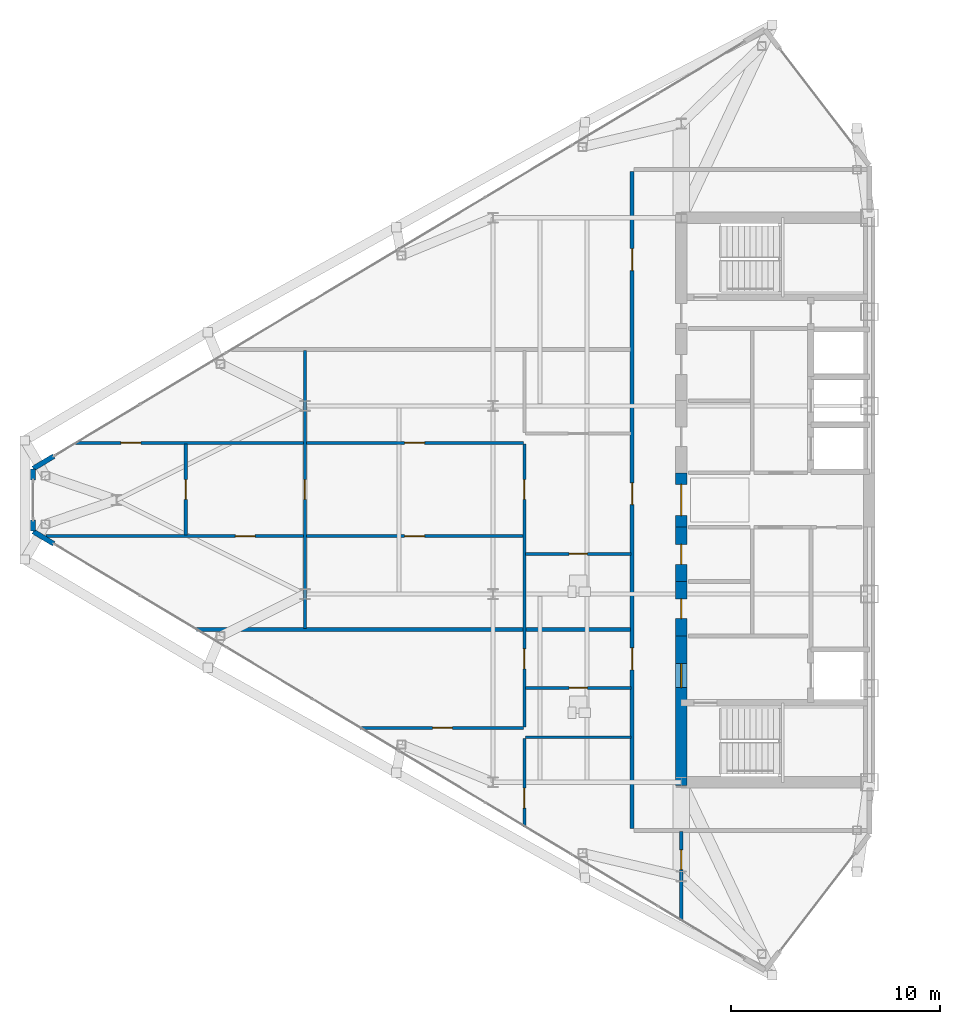
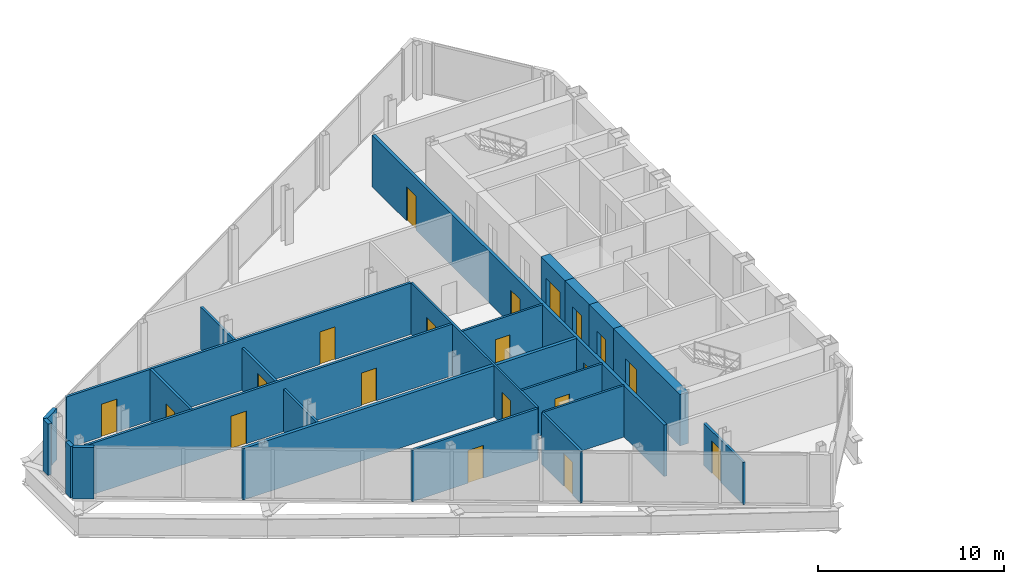
# One storey, part 21 of 29: 21 walls, 20 doors, 20 openings.
"""IFC4 building model written with IfcOpenShell, lengths in metres."""

import ifcopenshell
import ifcopenshell.guid

model = None  # the IFC model being written
_history = None  # IfcOwnerHistory: only IFC2X3 demands one
_inside = {}  # id of a spatial element -> (the spatial element, [elements in it])
_under = {}  # id of a project, library or spatial element -> (it, [spatial elements below it])
_declared = {}  # id of a project -> (the project, [libraries it declares])
_typed = {}  # id of a type object -> (the type object, [elements of that type])
_made_of = {}  # id of a material, layer set ... -> (it, [elements and type objects made of it])


def new_model(schema):
    """Start an empty IFC model of exactly this schema.

    Asked for "IFC4X3", IfcOpenShell would pick the latest addendum, in which some entities
    have other attributes; the version numbers below select the first issue.
    IFC2X3 requires an IfcOwnerHistory on every rooted entity: one is made here for all.
    """
    global model, _history
    if schema == "IFC4X3":
        model = ifcopenshell.file(schema_version=(4, 3, 0, 0))
    else:
        model = ifcopenshell.file(schema=schema)
    _inside.clear()
    _under.clear()
    _declared.clear()
    _typed.clear()
    _made_of.clear()
    _history = None
    if model.schema == "IFC2X3":
        org = make("IfcOrganization", Name="unknown")
        user = make(
            "IfcPersonAndOrganization",
            ThePerson=make("IfcPerson", FamilyName="unknown"),
            TheOrganization=org,
        )
        app = make(
            "IfcApplication",
            ApplicationDeveloper=org,
            Version="unknown",
            ApplicationFullName="unknown",
            ApplicationIdentifier="unknown",
        )
        _history = make(
            "IfcOwnerHistory",
            OwningUser=user,
            OwningApplication=app,
            ChangeAction="ADDED",
            CreationDate=0,
        )
    return model


def make(cls, **values):
    """One entity of the class cls with the attributes given. An attribute that is None is left unset."""
    return model.create_entity(
        cls, **{name: value for name, value in values.items() if value is not None}
    )


def rooted(cls, **values):
    """An entity with a GlobalId (a new one), such as an element, a storey or a relation."""
    return make(cls, GlobalId=ifcopenshell.guid.new(), OwnerHistory=_history, **values)


def si_unit(unit_type, name, prefix=None):
    """IfcSIUnit, for example si_unit("LENGTHUNIT", "METRE", prefix="MILLI")."""
    return make("IfcSIUnit", UnitType=unit_type, Prefix=prefix, Name=name)


def assignment(units):
    """IfcUnitAssignment: the units of a project."""
    return None if units is None else make("IfcUnitAssignment", Units=units)


def point(xyz):
    """IfcCartesianPoint."""
    return None if xyz is None else make("IfcCartesianPoint", Coordinates=xyz)


def direction(xyz):
    """IfcDirection."""
    return None if xyz is None else make("IfcDirection", DirectionRatios=xyz)


def frame(location, z_axis=None, x_axis=None):
    """IfcAxis2Placement3D, a coordinate frame: its origin and axes. An axis left out is left unset."""
    return make(
        "IfcAxis2Placement3D",
        Location=point(location),
        Axis=direction(z_axis),
        RefDirection=direction(x_axis),
    )


def frame_2d(location, x_axis=None):
    """IfcAxis2Placement2D, a coordinate frame in the plane: its origin and x axis."""
    return make(
        "IfcAxis2Placement2D", Location=point(location), RefDirection=direction(x_axis)
    )


def origin():
    """The frame at (0, 0, 0) with its axes left unset."""
    return frame((0.0, 0.0, 0.0))


def place(relative_to, where):
    """IfcLocalPlacement: puts the frame where relative to a parent placement (None: the world)."""
    return make(
        "IfcLocalPlacement", PlacementRelTo=relative_to, RelativePlacement=where
    )


def context(
    kind, dimensions, precision=None, world=None, true_north=None, identifier=None
):
    """IfcGeometricRepresentationContext, for example the 3D "Model" context."""
    return make(
        "IfcGeometricRepresentationContext",
        ContextIdentifier=identifier,
        ContextType=kind,
        CoordinateSpaceDimension=dimensions,
        Precision=precision,
        WorldCoordinateSystem=world,
        TrueNorth=true_north,
    )


def subcontext(parent, identifier, kind, view, scale=None):
    """IfcGeometricRepresentationSubContext, for example "Body" below "Model"."""
    return make(
        "IfcGeometricRepresentationSubContext",
        ContextIdentifier=identifier,
        ContextType=kind,
        ParentContext=parent,
        TargetScale=scale,
        TargetView=view,
    )


def project(units=None, contexts=None):
    """IfcProject with its units and contexts."""
    return rooted(
        "IfcProject",
        Name="project",
        RepresentationContexts=contexts,
        UnitsInContext=assignment(units),
    )


def spatial(cls, under=None, at=None, **own):
    """A site, building, storey or space (cls), placed at a placement, below another one or the project."""
    s = rooted(cls, ObjectPlacement=at, **own)
    if under is not None:
        _under.setdefault(under.id(), (under, []))[1].append(s)
    return s


def profile(cls, at=None, kind="AREA", **sizes):
    """A parametric profile (cls). Its sizes go by their IFC names, for example OverallWidth=200.0."""
    return make(cls, ProfileType=kind, Position=at, **sizes)


def rectangle(**sizes):
    """IfcRectangleProfileDef."""
    return profile("IfcRectangleProfileDef", **sizes)


def extrude(swept, where, along, depth):
    """IfcExtrudedAreaSolid: the profile swept, set in the frame where, extruded along a direction by depth."""
    return make(
        "IfcExtrudedAreaSolid",
        SweptArea=swept,
        Position=where,
        ExtrudedDirection=direction(along),
        Depth=depth,
    )


def shape(context_of_items, identifier, shape_type, items):
    """IfcShapeRepresentation: the items that make up one representation, for example the "Body"."""
    return make(
        "IfcShapeRepresentation",
        ContextOfItems=context_of_items,
        RepresentationIdentifier=identifier,
        RepresentationType=shape_type,
        Items=items,
    )


def source(mapping_origin, context_of_items, identifier, shape_type, items):
    """IfcRepresentationMap: a shape defined once, which mapped items show again and again."""
    return make(
        "IfcRepresentationMap",
        MappingOrigin=mapping_origin,
        MappedRepresentation=shape(context_of_items, identifier, shape_type, items),
    )


def transform(
    local_origin,
    x_axis=None,
    y_axis=None,
    z_axis=None,
    scale=None,
    scale2=None,
    scale3=None,
    uniform=True,
):
    """IfcCartesianTransformationOperator3D, or its non-uniform kind. x_axis, y_axis, z_axis: its Axis1, 2, 3."""
    if uniform:
        return make(
            "IfcCartesianTransformationOperator3D",
            Axis1=direction(x_axis),
            Axis2=direction(y_axis),
            LocalOrigin=point(local_origin),
            Scale=scale,
            Axis3=direction(z_axis),
        )
    return make(
        "IfcCartesianTransformationOperator3DnonUniform",
        Axis1=direction(x_axis),
        Axis2=direction(y_axis),
        LocalOrigin=point(local_origin),
        Scale=scale,
        Axis3=direction(z_axis),
        Scale2=scale2,
        Scale3=scale3,
    )


def mapped(mapping_source, mapping_target):
    """IfcMappedItem: shows the shape of a source again, moved by a transform."""
    return make(
        "IfcMappedItem", MappingSource=mapping_source, MappingTarget=mapping_target
    )


def material(Name=None, Category=None):
    """IfcMaterial."""
    return make("IfcMaterial", Name=Name, Category=Category)


def layer(
    of_material, thickness, ventilated=None, Name=None, Category=None, Priority=None
):
    """IfcMaterialLayer: one layer of a wall or slab, of a material (None: an air gap)."""
    return make(
        "IfcMaterialLayer",
        Material=of_material,
        LayerThickness=thickness,
        IsVentilated=ventilated,
        Name=Name,
        Category=Category,
        Priority=Priority,
    )


def layer_set(layers, Name=None):
    """IfcMaterialLayerSet."""
    return make("IfcMaterialLayerSet", MaterialLayers=layers, LayerSetName=Name)


def made_of(thing, what):
    """Note that an element or type object is made of a material, layer set ...; save() writes the relation."""
    if what is not None:
        _made_of.setdefault(what.id(), (what, []))[1].append(thing)
    return thing


def type_object(cls, material=None, **own):
    """A type object (cls), such as IfcWallType, which elements share."""
    return made_of(rooted(cls, **own), material)


def type_shapes(of_type, sources):
    """Give a type object the sources (RepresentationMaps) that its elements show as mapped items."""
    of_type.RepresentationMaps = sources


def element(
    cls,
    number,
    at=None,
    inside=None,
    cuts=None,
    type_object=None,
    material=None,
    context=None,
    identifier="Body",
    shape_type=None,
    held_by="IfcProductDefinitionShape",
    body=None,
    shapes=None,
    **own,
):
    """One element of the class cls, such as IfcWall. Its Tag is "e" and its number.

    at: its placement. inside: the storey or other place that contains it. cuts: it is an
    opening in that element (IfcRelVoidsElement). A single representation is given by context,
    identifier, shape_type and body (its items); several are given by shapes. held_by: the class
    of the entity that holds the representations. save() writes the other relations.
    """
    e = rooted(cls, Tag="e%d" % number, ObjectPlacement=at, **own)
    if body is not None:
        shapes = [shape(context, identifier, shape_type, body)]
    if shapes is not None:
        e.Representation = make(held_by, Representations=shapes)
    if inside is not None:
        _inside.setdefault(inside.id(), (inside, []))[1].append(e)
    if cuts is not None:
        rooted(
            "IfcRelVoidsElement", RelatingBuildingElement=cuts, RelatedOpeningElement=e
        )
    if type_object is not None:
        _typed.setdefault(type_object.id(), (type_object, []))[1].append(e)
    return made_of(e, material)


def fill(opening, filler):
    """IfcRelFillsElement: the door or window that sits in an opening."""
    return rooted(
        "IfcRelFillsElement",
        RelatingOpeningElement=opening,
        RelatedBuildingElement=filler,
    )


def aggregate(whole, parts):
    """IfcRelAggregates: a whole, such as a stair, and the parts it consists of."""
    return rooted("IfcRelAggregates", RelatingObject=whole, RelatedObjects=parts)


def save(model, path):
    """Write the relations noted so far, then the file.

    IfcRelAggregates (storeys below a building ...), IfcRelContainedInSpatialStructure (elements
    in a storey), IfcRelDefinesByType, IfcRelAssociatesMaterial and IfcRelDeclares: one each for
    every whole, place, type object, material and project.
    """
    for whole, parts in _under.values():
        aggregate(whole, parts)
    for where, things in _inside.values():
        rooted(
            "IfcRelContainedInSpatialStructure",
            RelatedElements=things,
            RelatingStructure=where,
        )
    for kind, things in _typed.values():
        rooted("IfcRelDefinesByType", RelatedObjects=things, RelatingType=kind)
    for what, things in _made_of.values():
        rooted("IfcRelAssociatesMaterial", RelatedObjects=things, RelatingMaterial=what)
    for by, libraries in _declared.values():
        rooted("IfcRelDeclares", RelatingContext=by, RelatedDefinitions=libraries)
    model.write(path)


model = new_model("IFC4")

# Units and contexts
model_context = context("Model", 3, precision=1e-05, world=origin(), true_north=direction((0.0, 1.0)))
body_context = subcontext(model_context, "Body", "Model", "MODEL_VIEW")
ifc_project = project(units=[si_unit("LENGTHUNIT", "METRE"), si_unit("AREAUNIT", "SQUARE_METRE"), si_unit("VOLUMEUNIT", "CUBIC_METRE"), si_unit("PLANEANGLEUNIT", "RADIAN"), si_unit("MASSUNIT", "GRAM", prefix="KILO")], contexts=[model_context])

# Site, building, storey
site_placement = place(None, origin())
site = spatial("IfcSite", under=ifc_project, at=site_placement, CompositionType="ELEMENT")
building_placement = place(site_placement, origin())
building = spatial("IfcBuilding", under=site, at=building_placement, Name="Seokmaru Belvedere", CompositionType="ELEMENT")
storey_placement = place(building_placement, frame((0.0, 0.0, 195.89990234375)))
storey = spatial("IfcBuildingStorey", under=building, at=storey_placement, Name="L52", CompositionType="ELEMENT", Elevation=195.89990234375)

# Wall, opening, door
ifc_material_1 = material(Name="Fire-Rated Gypsum Shaftwall")
ifc_layer_1 = layer(ifc_material_1, 0.14990234375)
ifc_layer_set_1 = layer_set([ifc_layer_1], Name="Fire-Rated Gypsum Shaftwall")
wall_type_1 = type_object("IfcWallType", Name="Apartment Fire-Acoustic Room Partition 150", PredefinedType="PARTITIONING", material=ifc_layer_set_1)
wall_1_placement = place(storey_placement, frame((-51.867919921875, -10.89990234375, 0.0), z_axis=(0.0, 0.0, 1.0), x_axis=(1.0, 0.0, 0.0)))
wall_1 = element("IfcWall", 1, at=wall_1_placement, inside=storey, type_object=wall_type_1, Name="L52 Interior Partition 004", PredefinedType="PARTITIONING", context=body_context, shape_type="SweptSolid", body=[
    extrude(rectangle(XDim=7.81787109375, YDim=0.14990234375, at=frame_2d((3.908935546875, 0.0))), origin(), (0.0, 0.0, 1.0), 3.380126953125),
])
opening_1_placement = place(wall_1_placement, frame((3.476318359375, 0.0, 0.0)))
opening_1 = element("IfcOpeningElement", 2, at=opening_1_placement, cuts=wall_1, Name="Opening D05", PredefinedType="OPENING", context=body_context, shape_type="SweptSolid", body=[
    extrude(rectangle(XDim=0.949951171875, YDim=2.14990234375, at=frame_2d((0.47509765625, 1.074951171875))), frame((0.0, 0.0849609375, 0.0), z_axis=(0.0, -1.0, 0.0), x_axis=(1.0, 0.0, 0.0)), (0.0, 0.0, 1.0), 0.169921875),
])
ifc_material_2 = material(Name="Engineered White Oak Timber", Category="wood")
door_type_1 = type_object("IfcDoorType", Name="Apartment Interior Fire-Rated Oak Door 950x2150", OperationType="NOTDEFINED", PredefinedType="DOOR", material=ifc_material_2)
shared_shape_1 = source(origin(), body_context, "Body", "SweptSolid", [
    extrude(rectangle(XDim=0.949951171875, YDim=2.14990234375, at=frame_2d((0.47509765625, 1.074951171875))), frame((0.0, 0.02490234375, 0.0), z_axis=(0.0, -1.0, 0.0), x_axis=(1.0, 0.0, 0.0)), (0.0, 0.0, 1.0), 0.050048828125),
])
type_shapes(door_type_1, [shared_shape_1])
door_1_placement = place(opening_1_placement, origin())
door_1 = element("IfcDoor", 3, at=door_1_placement, inside=storey, type_object=door_type_1, Name="L52 Interior Door 004", OperationType="SINGLE_SWING_RIGHT", OverallHeight=2.14990234375, OverallWidth=0.949951171875, PredefinedType="DOOR", context=body_context, shape_type="MappedRepresentation", body=[
    mapped(shared_shape_1, transform((0.0, 0.0, 0.0), scale=1.0)),
])
fill(opening_1, door_1)

# Wall, openings, doors
wall_2_placement = place(storey_placement, frame((-66.873779296875, -1.72998046875, 0.0), z_axis=(0.0, 0.0, 1.0), x_axis=(1.0, 0.0, 0.0)))
wall_2 = element("IfcWall", 4, at=wall_2_placement, inside=storey, type_object=wall_type_1, Name="L52 Interior Partition 011", PredefinedType="PARTITIONING", context=body_context, shape_type="SweptSolid", body=[
    extrude(rectangle(XDim=22.82373046875, YDim=0.14990234375, at=frame_2d((11.411865234375, 0.0))), origin(), (0.0, 0.0, 1.0), 3.380126953125),
])
opening_2_placement = place(wall_2_placement, frame((17.148681640625, 0.0, 0.0)))
opening_2 = element("IfcOpeningElement", 5, at=opening_2_placement, cuts=wall_2, Name="Opening D05", PredefinedType="OPENING", context=body_context, shape_type="SweptSolid", body=[
    extrude(rectangle(XDim=0.949951171875, YDim=2.14990234375, at=frame_2d((0.47509765625, 1.074951171875))), frame((0.0, 0.0849609375, 0.0), z_axis=(0.0, -1.0, 0.0), x_axis=(1.0, 0.0, 0.0)), (0.0, 0.0, 1.0), 0.169921875),
])
opening_3_placement = place(wall_2_placement, frame((9.048583984375, 0.0, 0.0)))
opening_3 = element("IfcOpeningElement", 6, at=opening_3_placement, cuts=wall_2, Name="Opening D05", PredefinedType="OPENING", context=body_context, shape_type="SweptSolid", body=[
    extrude(rectangle(XDim=0.949951171875, YDim=2.14990234375, at=frame_2d((0.47509765625, 1.074951171875))), frame((0.0, 0.0849609375, 0.0), z_axis=(0.0, -1.0, 0.0), x_axis=(1.0, 0.0, 0.0)), (0.0, 0.0, 1.0), 0.169921875),
])
door_2_placement = place(opening_2_placement, origin())
door_2 = element("IfcDoor", 7, at=door_2_placement, inside=storey, type_object=door_type_1, Name="L52 Interior Door 012", OperationType="SINGLE_SWING_RIGHT", OverallHeight=2.14990234375, OverallWidth=0.949951171875, PredefinedType="DOOR", context=body_context, shape_type="MappedRepresentation", body=[
    mapped(shared_shape_1, transform((0.0, 0.0, 0.0), scale=1.0)),
])
fill(opening_2, door_2)
door_3_placement = place(opening_3_placement, origin())
door_3 = element("IfcDoor", 8, at=door_3_placement, inside=storey, type_object=door_type_1, Name="L52 Interior Door 014", OperationType="SINGLE_SWING_LEFT", OverallHeight=2.14990234375, OverallWidth=0.949951171875, PredefinedType="DOOR", context=body_context, shape_type="MappedRepresentation", body=[
    mapped(shared_shape_1, transform((0.0, 0.0, 0.0), scale=1.0)),
])
fill(opening_3, door_3)

wall_3_placement = place(storey_placement, frame((-65.47998046875, 2.72998046875, 0.0), z_axis=(0.0, 0.0, 1.0), x_axis=(1.0, 0.0, 0.0)))
wall_3 = element("IfcWall", 9, at=wall_3_placement, inside=storey, type_object=wall_type_1, Name="L52 Interior Partition 014", PredefinedType="PARTITIONING", context=body_context, shape_type="SweptSolid", body=[
    extrude(rectangle(XDim=21.429931640625, YDim=0.14990234375, at=frame_2d((10.71484375, 0.0))), origin(), (0.0, 0.0, 1.0), 3.380126953125),
])
opening_4_placement = place(wall_3_placement, frame((15.7548828125, 0.0, 0.0)))
opening_4 = element("IfcOpeningElement", 10, at=opening_4_placement, cuts=wall_3, Name="Opening D05", PredefinedType="OPENING", context=body_context, shape_type="SweptSolid", body=[
    extrude(rectangle(XDim=0.949951171875, YDim=2.14990234375, at=frame_2d((0.47509765625, 1.074951171875))), frame((0.0, 0.0849609375, 0.0), z_axis=(0.0, -1.0, 0.0), x_axis=(1.0, 0.0, 0.0)), (0.0, 0.0, 1.0), 0.169921875),
])
opening_5_placement = place(wall_3_placement, frame((2.182861328125, 0.0, 0.0)))
opening_5 = element("IfcOpeningElement", 11, at=opening_5_placement, cuts=wall_3, Name="Opening D05", PredefinedType="OPENING", context=body_context, shape_type="SweptSolid", body=[
    extrude(rectangle(XDim=0.949951171875, YDim=2.14990234375, at=frame_2d((0.47509765625, 1.074951171875))), frame((0.0, 0.0849609375, 0.0), z_axis=(0.0, -1.0, 0.0), x_axis=(1.0, 0.0, 0.0)), (0.0, 0.0, 1.0), 0.169921875),
])
door_4_placement = place(opening_4_placement, origin())
door_4 = element("IfcDoor", 12, at=door_4_placement, inside=storey, type_object=door_type_1, Name="L52 Interior Door 013", OperationType="SINGLE_SWING_LEFT", OverallHeight=2.14990234375, OverallWidth=0.949951171875, PredefinedType="DOOR", context=body_context, shape_type="MappedRepresentation", body=[
    mapped(shared_shape_1, transform((0.0, 0.0, 0.0), scale=1.0)),
])
fill(opening_4, door_4)
door_5_placement = place(opening_5_placement, origin())
door_5 = element("IfcDoor", 13, at=door_5_placement, inside=storey, type_object=door_type_1, Name="L52 Interior Door 016", OperationType="SINGLE_SWING_LEFT", OverallHeight=2.14990234375, OverallWidth=0.949951171875, PredefinedType="DOOR", context=body_context, shape_type="MappedRepresentation", body=[
    mapped(shared_shape_1, transform((0.0, 0.0, 0.0), scale=1.0)),
])
fill(opening_5, door_5)

# Wall, opening, door
wall_4_placement = place(storey_placement, frame((-60.199951171875, -1.68310546875, 0.0), z_axis=(0.0, 0.0, 1.0), x_axis=(0.0, 1.0, 0.0)))
wall_4 = element("IfcWall", 14, at=wall_4_placement, inside=storey, type_object=wall_type_1, Name="L52 Interior Partition 024", PredefinedType="PARTITIONING", context=body_context, shape_type="SweptSolid", body=[
    extrude(rectangle(XDim=4.3662109375, YDim=0.14990234375, at=frame_2d((2.18310546875, 0.0))), origin(), (0.0, 0.0, 1.0), 3.380126953125),
])
opening_6_placement = place(wall_4_placement, frame((1.7080078125, 0.0, 0.0)))
opening_6 = element("IfcOpeningElement", 15, at=opening_6_placement, cuts=wall_4, Name="Opening D05", PredefinedType="OPENING", context=body_context, shape_type="SweptSolid", body=[
    extrude(rectangle(XDim=0.949951171875, YDim=2.14990234375, at=frame_2d((0.47509765625, 1.074951171875))), frame((0.0, 0.0849609375, 0.0), z_axis=(0.0, -1.0, 0.0), x_axis=(1.0, 0.0, 0.0)), (0.0, 0.0, 1.0), 0.169921875),
])
door_6_placement = place(opening_6_placement, origin())
door_6 = element("IfcDoor", 16, at=door_6_placement, inside=storey, type_object=door_type_1, Name="L52 Interior Door 015", OperationType="SINGLE_SWING_RIGHT", OverallHeight=2.14990234375, OverallWidth=0.949951171875, PredefinedType="DOOR", context=body_context, shape_type="MappedRepresentation", body=[
    mapped(shared_shape_1, transform((0.0, 0.0, 0.0), scale=1.0)),
])
fill(opening_6, door_6)

wall_5_placement = place(storey_placement, frame((-54.5, -6.14990234375, 0.0), z_axis=(0.0, 0.0, 1.0), x_axis=(0.0, 1.0, 0.0)))
wall_5 = element("IfcWall", 17, at=wall_5_placement, inside=storey, type_object=wall_type_1, Name="L52 Interior Partition 025", PredefinedType="PARTITIONING", context=body_context, shape_type="SweptSolid", body=[
    extrude(rectangle(XDim=13.2998046875, YDim=0.14990234375, at=frame_2d((6.64990234375, 0.0))), origin(), (0.0, 0.0, 1.0), 2.780029296875),
])
opening_7_placement = place(wall_5_placement, frame((6.175048828125, 0.0, 0.0)))
opening_7 = element("IfcOpeningElement", 18, at=opening_7_placement, cuts=wall_5, Name="Opening D05", PredefinedType="OPENING", context=body_context, shape_type="SweptSolid", body=[
    extrude(rectangle(XDim=0.949951171875, YDim=2.14990234375, at=frame_2d((0.47509765625, 1.074951171875))), frame((0.0, 0.0849609375, 0.0), z_axis=(0.0, -1.0, 0.0), x_axis=(1.0, 0.0, 0.0)), (0.0, 0.0, 1.0), 0.169921875),
])
door_7_placement = place(opening_7_placement, origin())
door_7 = element("IfcDoor", 19, at=door_7_placement, inside=storey, type_object=door_type_1, Name="L52 Interior Door 011", OperationType="SINGLE_SWING_RIGHT", OverallHeight=2.14990234375, OverallWidth=0.949951171875, PredefinedType="DOOR", context=body_context, shape_type="MappedRepresentation", body=[
    mapped(shared_shape_1, transform((0.0, 0.0, 0.0), scale=1.0)),
])
fill(opening_7, door_7)

wall_6_placement = place(storey_placement, frame((-44.0, -15.635009765625, 0.0), z_axis=(0.0, 0.0, 1.0), x_axis=(0.0, 1.0, 0.0)))
wall_6 = element("IfcWall", 20, at=wall_6_placement, inside=storey, type_object=wall_type_1, Name="L52 Interior Partition 026", PredefinedType="PARTITIONING", context=body_context, shape_type="SweptSolid", body=[
    extrude(rectangle(XDim=4.239990234375, YDim=0.14990234375, at=frame_2d((2.1201171875, 0.0))), origin(), (0.0, 0.0, 1.0), 3.380126953125),
])
opening_8_placement = place(wall_6_placement, frame((0.902587890625, 0.0, 0.0)))
opening_8 = element("IfcOpeningElement", 21, at=opening_8_placement, cuts=wall_6, Name="Opening D05", PredefinedType="OPENING", context=body_context, shape_type="SweptSolid", body=[
    extrude(rectangle(XDim=0.949951171875, YDim=2.14990234375, at=frame_2d((0.47509765625, 1.074951171875))), frame((0.0, 0.0849609375, 0.0), z_axis=(0.0, -1.0, 0.0), x_axis=(1.0, 0.0, 0.0)), (0.0, 0.0, 1.0), 0.169921875),
])
door_8_placement = place(opening_8_placement, origin())
door_8 = element("IfcDoor", 22, at=door_8_placement, inside=storey, type_object=door_type_1, Name="L52 Interior Door 005", OperationType="SINGLE_SWING_LEFT", OverallHeight=2.14990234375, OverallWidth=0.949951171875, PredefinedType="DOOR", context=body_context, shape_type="MappedRepresentation", body=[
    mapped(shared_shape_1, transform((0.0, 0.0, 0.0), scale=1.0)),
])
fill(opening_8, door_8)

wall_7_placement = place(storey_placement, frame((-36.5, -20.135009765625, 0.0), z_axis=(0.0, 0.0, 1.0), x_axis=(0.0, 1.0, 0.0)))
wall_7 = element("IfcWall", 23, at=wall_7_placement, inside=storey, type_object=wall_type_1, Name="L52 Interior Partition 030", PredefinedType="PARTITIONING", context=body_context, shape_type="SweptSolid", body=[
    extrude(rectangle(XDim=4.284912109375, YDim=0.14990234375, at=frame_2d((2.142578125, 0.0))), origin(), (0.0, 0.0, 1.0), 2.780029296875),
])
opening_9_placement = place(wall_7_placement, frame((2.45703125, 0.0, 0.0)))
opening_9 = element("IfcOpeningElement", 24, at=opening_9_placement, cuts=wall_7, Name="Opening D05", PredefinedType="OPENING", context=body_context, shape_type="SweptSolid", body=[
    extrude(rectangle(XDim=0.949951171875, YDim=2.14990234375, at=frame_2d((0.47509765625, 1.074951171875))), frame((0.0, 0.0849609375, 0.0), z_axis=(0.0, -1.0, 0.0), x_axis=(1.0, 0.0, 0.0)), (0.0, 0.0, 1.0), 0.169921875),
])
door_9_placement = place(opening_9_placement, origin())
door_9 = element("IfcDoor", 25, at=door_9_placement, inside=storey, type_object=door_type_1, Name="L52 Interior Door 006", OperationType="SINGLE_SWING_RIGHT", OverallHeight=2.14990234375, OverallWidth=0.949951171875, PredefinedType="DOOR", context=body_context, shape_type="MappedRepresentation", body=[
    mapped(shared_shape_1, transform((0.0, 0.0, 0.0), scale=1.0)),
])
fill(opening_9, door_9)

# Wall
ifc_layer_2 = layer(ifc_material_1, 0.199951171875)
ifc_layer_set_2 = layer_set([ifc_layer_2], Name="Fire-Rated Gypsum Shaftwall")
wall_type_2 = type_object("IfcWallType", Name="Inter-Tenancy Fire Compartment Partition 200", PredefinedType="PARTITIONING", material=ifc_layer_set_2)
wall_8_placement = place(storey_placement, frame((-59.676025390625, -6.199951171875, 0.0), z_axis=(0.0, 0.0, 1.0), x_axis=(1.0, 0.0, 0.0)))
element("IfcWall", 26, at=wall_8_placement, inside=storey, type_object=wall_type_2, Name="L52 Interior Partition 007", PredefinedType="PARTITIONING", context=body_context, shape_type="SweptSolid", body=[
    extrude(rectangle(XDim=20.74609375, YDim=0.199951171875, at=frame_2d((10.373046875, 0.0))), origin(), (0.0, 0.0, 1.0), 3.380126953125),
])

# Wall, openings, doors
wall_9_placement = place(storey_placement, frame((-38.85009765625, -15.715087890625, 0.0), z_axis=(0.0, 0.0, 1.0), x_axis=(0.0, 1.0, 0.0)))
wall_9 = element("IfcWall", 27, at=wall_9_placement, inside=storey, type_object=wall_type_2, Name="L52 Interior Partition 029", PredefinedType="PARTITIONING", context=body_context, shape_type="SweptSolid", body=[
    extrude(rectangle(XDim=31.43017578125, YDim=0.199951171875, at=frame_2d((15.715087890625, 0.0))), origin(), (0.0, 0.0, 1.0), 3.380126953125),
])
opening_10_placement = place(wall_9_placement, frame((7.592529296875, 0.0, 0.0)))
opening_10 = element("IfcOpeningElement", 28, at=opening_10_placement, cuts=wall_9, Name="Opening D03", PredefinedType="OPENING", context=body_context, shape_type="SweptSolid", body=[
    extrude(rectangle(XDim=1.050048828125, YDim=2.25, at=frame_2d((0.52490234375, 1.125))), frame((0.0, 0.10986328125, 0.0), z_axis=(0.0, -1.0, 0.0), x_axis=(1.0, 0.0, 0.0)), (0.0, 0.0, 1.0), 0.219970703125),
])
opening_11_placement = place(wall_9_placement, frame((15.489013671875, 0.0, 0.0)))
opening_11 = element("IfcOpeningElement", 29, at=opening_11_placement, cuts=wall_9, Name="Opening D03", PredefinedType="OPENING", context=body_context, shape_type="SweptSolid", body=[
    extrude(rectangle(XDim=1.050048828125, YDim=2.25, at=frame_2d((0.52490234375, 1.125))), frame((0.0, 0.10986328125, 0.0), z_axis=(0.0, -1.0, 0.0), x_axis=(1.0, 0.0, 0.0)), (0.0, 0.0, 1.0), 0.219970703125),
])
opening_12_placement = place(wall_9_placement, frame((26.68994140625, 0.0, 0.0)))
opening_12 = element("IfcOpeningElement", 30, at=opening_12_placement, cuts=wall_9, Name="Opening D03", PredefinedType="OPENING", context=body_context, shape_type="SweptSolid", body=[
    extrude(rectangle(XDim=1.050048828125, YDim=2.25, at=frame_2d((0.52490234375, 1.125))), frame((0.0, 0.10986328125, 0.0), z_axis=(0.0, -1.0, 0.0), x_axis=(1.0, 0.0, 0.0)), (0.0, 0.0, 1.0), 0.219970703125),
])
ifc_material_3 = material(Name="Fire-Rated Steel Leaf", Category="steel")
door_type_2 = type_object("IfcDoorType", Name="Apartment Entrance Fire Door 1050x2250", OperationType="NOTDEFINED", PredefinedType="DOOR", material=ifc_material_3)
shared_shape_2 = source(origin(), body_context, "Body", "SweptSolid", [
    extrude(rectangle(XDim=1.050048828125, YDim=2.25, at=frame_2d((0.52490234375, 1.125))), frame((0.0, 0.02490234375, 0.0), z_axis=(0.0, -1.0, 0.0), x_axis=(1.0, 0.0, 0.0)), (0.0, 0.0, 1.0), 0.050048828125),
])
type_shapes(door_type_2, [shared_shape_2])
door_10_placement = place(opening_10_placement, origin())
door_10 = element("IfcDoor", 31, at=door_10_placement, inside=storey, type_object=door_type_2, Name="L52 Interior Door 001", OperationType="SINGLE_SWING_RIGHT", OverallHeight=2.25, OverallWidth=1.050048828125, PredefinedType="DOOR", context=body_context, shape_type="MappedRepresentation", body=[
    mapped(shared_shape_2, transform((0.0, 0.0, 0.0), scale=1.0)),
])
fill(opening_10, door_10)
door_11_placement = place(opening_11_placement, origin())
door_11 = element("IfcDoor", 32, at=door_11_placement, inside=storey, type_object=door_type_2, Name="L52 Interior Door 007", OperationType="SINGLE_SWING_LEFT", OverallHeight=2.25, OverallWidth=1.050048828125, PredefinedType="DOOR", context=body_context, shape_type="MappedRepresentation", body=[
    mapped(shared_shape_2, transform((0.0, 0.0, 0.0), scale=1.0)),
])
fill(opening_11, door_11)
door_12_placement = place(opening_12_placement, origin())
door_12 = element("IfcDoor", 33, at=door_12_placement, inside=storey, type_object=door_type_2, Name="L52 Interior Door 017", OperationType="SINGLE_SWING_RIGHT", OverallHeight=2.25, OverallWidth=1.050048828125, PredefinedType="DOOR", context=body_context, shape_type="MappedRepresentation", body=[
    mapped(shared_shape_2, transform((0.0, 0.0, 0.0), scale=1.0)),
])
fill(opening_12, door_12)

# Wall, opening, door
ifc_material_4 = material(Name="Concrete C50 (50 MPa)", Category="concrete")
ifc_layer_3 = layer(ifc_material_4, 0.550048828125)
ifc_layer_set_3 = layer_set([ifc_layer_3], Name="Concrete C50 (50 MPa)")
wall_type_3 = type_object("IfcWallType", Name="Mid-High Reinforced Concrete Core Wall 550", PredefinedType="SHEAR", material=ifc_layer_set_3)
wall_10_placement = place(storey_placement, frame((-36.5, -13.64990234375, 0.0), z_axis=(0.0, 0.0, 1.0), x_axis=(0.0, 1.0, 0.0)))
wall_10 = element("IfcWall", 34, at=wall_10_placement, inside=storey, type_object=wall_type_3, Name="L52 West West Core Wall FF", PredefinedType="SHEAR", context=body_context, shape_type="SweptSolid", body=[
    extrude(rectangle(XDim=7.14990234375, YDim=0.550048828125, at=frame_2d((3.574951171875, 0.0))), origin(), (0.0, 0.0, 1.0), 3.380126953125),
])
opening_13_placement = place(wall_10_placement, frame((4.675048828125, 0.0, 0.0)))
opening_13 = element("IfcOpeningElement", 35, at=opening_13_placement, cuts=wall_10, Name="Opening D02", PredefinedType="OPENING", context=body_context, shape_type="SweptSolid", body=[
    extrude(rectangle(XDim=1.14990234375, YDim=2.199951171875, at=frame_2d((0.574951171875, 1.10009765625))), frame((0.0, 0.28515625, 0.0), z_axis=(0.0, -1.0, 0.0), x_axis=(1.0, 0.0, 0.0)), (0.0, 0.0, 1.0), 0.570068359375),
])
door_type_3 = type_object("IfcDoorType", Name="Lobby and Vestibule Fire Door 1150x2200", OperationType="NOTDEFINED", PredefinedType="DOOR", material=ifc_material_3)
shared_shape_3 = source(origin(), body_context, "Body", "SweptSolid", [
    extrude(rectangle(XDim=1.14990234375, YDim=2.199951171875, at=frame_2d((0.574951171875, 1.10009765625))), frame((0.0, 0.02490234375, 0.0), z_axis=(0.0, -1.0, 0.0), x_axis=(1.0, 0.0, 0.0)), (0.0, 0.0, 1.0), 0.050048828125),
])
type_shapes(door_type_3, [shared_shape_3])
door_13_placement = place(opening_13_placement, frame((1.14990234375, 0.0, 0.0), z_axis=(0.0, 0.0, 1.0), x_axis=(-1.0, 0.0, 0.0)))
door_13 = element("IfcDoor", 36, at=door_13_placement, inside=storey, type_object=door_type_3, Name="L52 West Firefighting Lobby Door", OperationType="SINGLE_SWING_LEFT", OverallHeight=2.199951171875, OverallWidth=1.14990234375, PredefinedType="DOOR", context=body_context, shape_type="MappedRepresentation", body=[
    mapped(shared_shape_3, transform((0.0, 0.0, 0.0), scale=1.0)),
])
fill(opening_13, door_13)

wall_11_placement = place(storey_placement, frame((-36.5, -1.300048828125, 0.0), z_axis=(0.0, 0.0, 1.0), x_axis=(0.0, 1.0, 0.0)))
wall_11 = element("IfcWall", 37, at=wall_11_placement, inside=storey, type_object=wall_type_3, Name="L52 West West Core Wall FOY", PredefinedType="SHEAR", context=body_context, shape_type="SweptSolid", body=[
    extrude(rectangle(XDim=2.60009765625, YDim=0.550048828125, at=frame_2d((1.300048828125, 0.0))), origin(), (0.0, 0.0, 1.0), 3.380126953125),
])
opening_14_placement = place(wall_11_placement, frame((0.550048828125, 0.0, 0.0)))
opening_14 = element("IfcOpeningElement", 38, at=opening_14_placement, cuts=wall_11, Name="Opening D08", PredefinedType="OPENING", context=body_context, shape_type="SweptSolid", body=[
    extrude(rectangle(XDim=1.5, YDim=2.300048828125, at=frame_2d((0.75, 1.14990234375))), frame((0.0, 0.28515625, 0.0), z_axis=(0.0, -1.0, 0.0), x_axis=(1.0, 0.0, 0.0)), (0.0, 0.0, 1.0), 0.570068359375),
])
door_type_4 = type_object("IfcDoorType", Name="Cross-Corridor Compartment Double Fire Door 1500x2300", OperationType="DOUBLE_SWING_LEFT", PredefinedType="DOOR", material=ifc_material_3)
shared_shape_4 = source(origin(), body_context, "Body", "SweptSolid", [
    extrude(rectangle(XDim=1.5, YDim=2.300048828125, at=frame_2d((0.75, 1.14990234375))), frame((0.0, 0.02490234375, 0.0), z_axis=(0.0, -1.0, 0.0), x_axis=(1.0, 0.0, 0.0)), (0.0, 0.0, 1.0), 0.050048828125),
])
type_shapes(door_type_4, [shared_shape_4])
door_14_placement = place(opening_14_placement, origin())
door_14 = element("IfcDoor", 39, at=door_14_placement, inside=storey, type_object=door_type_4, Name="L52 West Core Foyer Compartment Door", OperationType="DOUBLE_SWING_LEFT", OverallHeight=2.300048828125, OverallWidth=1.5, PredefinedType="DOOR", context=body_context, shape_type="MappedRepresentation", body=[
    mapped(shared_shape_4, transform((0.0, 0.0, 0.0), scale=1.0)),
])
fill(opening_14, door_14)

wall_12_placement = place(storey_placement, frame((-36.5, -6.5, 0.0), z_axis=(0.0, 0.0, 1.0), x_axis=(0.0, 1.0, 0.0)))
wall_12 = element("IfcWall", 40, at=wall_12_placement, inside=storey, type_object=wall_type_3, Name="L52 West West Core Wall CS1", PredefinedType="SHEAR", context=body_context, shape_type="SweptSolid", body=[
    extrude(rectangle(XDim=2.60009765625, YDim=0.550048828125, at=frame_2d((1.300048828125, 0.0))), origin(), (0.0, 0.0, 1.0), 3.380126953125),
])
opening_15_placement = place(wall_12_placement, frame((0.824951171875, 0.0, 0.0)))
opening_15 = element("IfcOpeningElement", 41, at=opening_15_placement, cuts=wall_12, Name="Opening D04", PredefinedType="OPENING", context=body_context, shape_type="SweptSolid", body=[
    extrude(rectangle(XDim=0.949951171875, YDim=2.14990234375, at=frame_2d((0.47509765625, 1.074951171875))), frame((0.0, 0.28515625, 0.0), z_axis=(0.0, -1.0, 0.0), x_axis=(1.0, 0.0, 0.0)), (0.0, 0.0, 1.0), 0.570068359375),
])
door_type_5 = type_object("IfcDoorType", Name="Core Service Room Fire Door 950x2150", OperationType="NOTDEFINED", PredefinedType="DOOR", material=ifc_material_3)
shared_shape_5 = source(origin(), body_context, "Body", "SweptSolid", [
    extrude(rectangle(XDim=0.949951171875, YDim=2.14990234375, at=frame_2d((0.47509765625, 1.074951171875))), frame((0.0, 0.02490234375, 0.0), z_axis=(0.0, -1.0, 0.0), x_axis=(1.0, 0.0, 0.0)), (0.0, 0.0, 1.0), 0.050048828125),
])
type_shapes(door_type_5, [shared_shape_5])
door_15_placement = place(opening_15_placement, origin())
door_15 = element("IfcDoor", 42, at=door_15_placement, inside=storey, type_object=door_type_5, Name="L52 West Core Service Room Door 1", OperationType="SINGLE_SWING_LEFT", OverallHeight=2.14990234375, OverallWidth=0.949951171875, PredefinedType="DOOR", context=body_context, shape_type="MappedRepresentation", body=[
    mapped(shared_shape_5, transform((0.0, 0.0, 0.0), scale=1.0)),
])
fill(opening_15, door_15)

wall_13_placement = place(storey_placement, frame((-36.5, -3.89990234375, 0.0), z_axis=(0.0, 0.0, 1.0), x_axis=(0.0, 1.0, 0.0)))
wall_13 = element("IfcWall", 43, at=wall_13_placement, inside=storey, type_object=wall_type_3, Name="L52 West West Core Wall CS2", PredefinedType="SHEAR", context=body_context, shape_type="SweptSolid", body=[
    extrude(rectangle(XDim=2.599853515625, YDim=0.550048828125, at=frame_2d((1.2998046875, 0.0))), origin(), (0.0, 0.0, 1.0), 3.380126953125),
])
opening_16_placement = place(wall_13_placement, frame((0.824951171875, 0.0, 0.0)))
opening_16 = element("IfcOpeningElement", 44, at=opening_16_placement, cuts=wall_13, Name="Opening D04", PredefinedType="OPENING", context=body_context, shape_type="SweptSolid", body=[
    extrude(rectangle(XDim=0.949951171875, YDim=2.14990234375, at=frame_2d((0.47509765625, 1.074951171875))), frame((0.0, 0.28515625, 0.0), z_axis=(0.0, -1.0, 0.0), x_axis=(1.0, 0.0, 0.0)), (0.0, 0.0, 1.0), 0.570068359375),
])
door_16_placement = place(opening_16_placement, origin())
door_16 = element("IfcDoor", 45, at=door_16_placement, inside=storey, type_object=door_type_5, Name="L52 West Core Service Room Door 2", OperationType="SINGLE_SWING_RIGHT", OverallHeight=2.14990234375, OverallWidth=0.949951171875, PredefinedType="DOOR", context=body_context, shape_type="MappedRepresentation", body=[
    mapped(shared_shape_5, transform((0.0, 0.0, 0.0), scale=1.0)),
])
fill(opening_16, door_16)

# Wall
ifc_layer_4 = layer(ifc_material_1, 0.1298828125)
ifc_layer_set_4 = layer_set([ifc_layer_4], Name="Fire-Rated Gypsum Shaftwall")
wall_type_4 = type_object("IfcWallType", Name="Moisture-Resistant Fire-Rated Bathroom Partition 130", PredefinedType="PARTITIONING", material=ifc_layer_set_4)
wall_14_placement = place(storey_placement, frame((-43.949951171875, -11.35009765625, 0.0), z_axis=(0.0, 0.0, 1.0), x_axis=(1.0, 0.0, 0.0)))
element("IfcWall", 46, at=wall_14_placement, inside=storey, type_object=wall_type_4, Name="L52 Interior Partition 003", PredefinedType="PARTITIONING", context=body_context, shape_type="SweptSolid", body=[
    extrude(rectangle(XDim=5.050048828125, YDim=0.1298828125, at=frame_2d((2.52490234375, 0.0))), origin(), (0.0, 0.0, 1.0), 3.380126953125),
])

# Wall, opening, door
wall_15_placement = place(storey_placement, frame((-43.949951171875, -8.989990234375, 0.0), z_axis=(0.0, 0.0, 1.0), x_axis=(1.0, 0.0, 0.0)))
wall_15 = element("IfcWall", 47, at=wall_15_placement, inside=storey, type_object=wall_type_4, Name="L52 Interior Partition 005", PredefinedType="PARTITIONING", context=body_context, shape_type="SweptSolid", body=[
    extrude(rectangle(XDim=5.050048828125, YDim=0.1298828125, at=frame_2d((2.52490234375, 0.0))), origin(), (0.0, 0.0, 1.0), 3.380126953125),
])
opening_17_placement = place(wall_15_placement, frame((2.0849609375, 0.0, 0.0)))
opening_17 = element("IfcOpeningElement", 48, at=opening_17_placement, cuts=wall_15, Name="Opening D06", PredefinedType="OPENING", context=body_context, shape_type="SweptSolid", body=[
    extrude(rectangle(XDim=0.8798828125, YDim=2.10009765625, at=frame_2d((0.43994140625, 1.050048828125))), frame((0.0, 0.074951171875, 0.0), z_axis=(0.0, -1.0, 0.0), x_axis=(1.0, 0.0, 0.0)), (0.0, 0.0, 1.0), 0.14990234375),
])
door_type_6 = type_object("IfcDoorType", Name="Bathroom and Restroom Fire-Rated Door 880x2100", OperationType="NOTDEFINED", PredefinedType="DOOR", material=ifc_material_2)
shared_shape_6 = source(origin(), body_context, "Body", "SweptSolid", [
    extrude(rectangle(XDim=0.8798828125, YDim=2.10009765625, at=frame_2d((0.43994140625, 1.050048828125))), frame((0.0, 0.02490234375, 0.0), z_axis=(0.0, -1.0, 0.0), x_axis=(1.0, 0.0, 0.0)), (0.0, 0.0, 1.0), 0.050048828125),
])
type_shapes(door_type_6, [shared_shape_6])
door_17_placement = place(opening_17_placement, origin())
door_17 = element("IfcDoor", 49, at=door_17_placement, inside=storey, type_object=door_type_6, Name="L52 Interior Door 002", OperationType="SINGLE_SWING_LEFT", OverallHeight=2.10009765625, OverallWidth=0.8798828125, PredefinedType="DOOR", context=body_context, shape_type="MappedRepresentation", body=[
    mapped(shared_shape_6, transform((0.0, 0.0, 0.0), scale=1.0)),
])
fill(opening_17, door_17)

wall_16_placement = place(storey_placement, frame((-43.949951171875, -2.580078125, 0.0), z_axis=(0.0, 0.0, 1.0), x_axis=(1.0, 0.0, 0.0)))
wall_16 = element("IfcWall", 50, at=wall_16_placement, inside=storey, type_object=wall_type_4, Name="L52 Interior Partition 010", PredefinedType="PARTITIONING", context=body_context, shape_type="SweptSolid", body=[
    extrude(rectangle(XDim=5.050048828125, YDim=0.1298828125, at=frame_2d((2.52490234375, 0.0))), origin(), (0.0, 0.0, 1.0), 3.380126953125),
])
opening_18_placement = place(wall_16_placement, frame((2.0849609375, 0.0, 0.0)))
opening_18 = element("IfcOpeningElement", 51, at=opening_18_placement, cuts=wall_16, Name="Opening D06", PredefinedType="OPENING", context=body_context, shape_type="SweptSolid", body=[
    extrude(rectangle(XDim=0.8798828125, YDim=2.10009765625, at=frame_2d((0.43994140625, 1.050048828125))), frame((0.0, 0.074951171875, 0.0), z_axis=(0.0, -1.0, 0.0), x_axis=(1.0, 0.0, 0.0)), (0.0, 0.0, 1.0), 0.14990234375),
])
door_18_placement = place(opening_18_placement, origin())
door_18 = element("IfcDoor", 52, at=door_18_placement, inside=storey, type_object=door_type_6, Name="L52 Interior Door 008", OperationType="SINGLE_SWING_LEFT", OverallHeight=2.10009765625, OverallWidth=0.8798828125, PredefinedType="DOOR", context=body_context, shape_type="MappedRepresentation", body=[
    mapped(shared_shape_6, transform((0.0, 0.0, 0.0), scale=1.0)),
])
fill(opening_18, door_18)

# Wall, openings, doors
wall_17_placement = place(storey_placement, frame((-44.0, -10.85009765625, 0.0), z_axis=(0.0, 0.0, 1.0), x_axis=(0.0, 1.0, 0.0)))
wall_17 = element("IfcWall", 53, at=wall_17_placement, inside=storey, type_object=wall_type_4, Name="L52 Interior Partition 027", PredefinedType="PARTITIONING", context=body_context, shape_type="SweptSolid", body=[
    extrude(rectangle(XDim=13.533203125, YDim=0.1298828125, at=frame_2d((6.7666015625, 0.0))), origin(), (0.0, 0.0, 1.0), 3.380126953125),
])
opening_19_placement = place(wall_17_placement, frame((2.777587890625, 0.0, 0.0)))
opening_19 = element("IfcOpeningElement", 54, at=opening_19_placement, cuts=wall_17, Name="Opening D05", PredefinedType="OPENING", context=body_context, shape_type="SweptSolid", body=[
    extrude(rectangle(XDim=0.949951171875, YDim=2.14990234375, at=frame_2d((0.47509765625, 1.074951171875))), frame((0.0, 0.074951171875, 0.0), z_axis=(0.0, -1.0, 0.0), x_axis=(1.0, 0.0, 0.0)), (0.0, 0.0, 1.0), 0.14990234375),
])
opening_20_placement = place(wall_17_placement, frame((10.875, 0.0, 0.0)))
opening_20 = element("IfcOpeningElement", 55, at=opening_20_placement, cuts=wall_17, Name="Opening D05", PredefinedType="OPENING", context=body_context, shape_type="SweptSolid", body=[
    extrude(rectangle(XDim=0.949951171875, YDim=2.14990234375, at=frame_2d((0.47509765625, 1.074951171875))), frame((0.0, 0.074951171875, 0.0), z_axis=(0.0, -1.0, 0.0), x_axis=(1.0, 0.0, 0.0)), (0.0, 0.0, 1.0), 0.14990234375),
])
door_19_placement = place(opening_19_placement, origin())
door_19 = element("IfcDoor", 56, at=door_19_placement, inside=storey, type_object=door_type_1, Name="L52 Interior Door 003", OperationType="SINGLE_SWING_RIGHT", OverallHeight=2.14990234375, OverallWidth=0.949951171875, PredefinedType="DOOR", context=body_context, shape_type="MappedRepresentation", body=[
    mapped(shared_shape_1, transform((0.0, 0.0, 0.0), scale=1.0)),
])
fill(opening_19, door_19)
door_20_placement = place(opening_20_placement, origin())
door_20 = element("IfcDoor", 57, at=door_20_placement, inside=storey, type_object=door_type_1, Name="L52 Interior Door 010", OperationType="SINGLE_SWING_RIGHT", OverallHeight=2.14990234375, OverallWidth=0.949951171875, PredefinedType="DOOR", context=body_context, shape_type="MappedRepresentation", body=[
    mapped(shared_shape_1, transform((0.0, 0.0, 0.0), scale=1.0)),
])
fill(opening_20, door_20)

# Walls
ifc_material_5 = material(Name="Anodised Bronze Aluminium", Category="aluminium")
ifc_layer_5 = layer(ifc_material_5, 0.239990234375)
ifc_layer_set_5 = layer_set([ifc_layer_5], Name="Anodised Bronze Aluminium")
wall_type_5 = type_object("IfcWallType", Name="Tower Corner Spandrel Closure Wall 240", PredefinedType="SOLIDWALL", material=ifc_layer_set_5)
wall_18_placement = place(storey_placement, frame((-66.513916015625, 2.091796875, 0.0), z_axis=(0.0, 0.0, 1.0), x_axis=(-0.85743623509, -0.514590228002, 0.0)))
element("IfcWall", 58, at=wall_18_placement, inside=storey, type_object=wall_type_5, Name="L52 W Corner Closure Pier 3B", PredefinedType="SOLIDWALL", context=body_context, shape_type="SweptSolid", body=[
    extrude(rectangle(XDim=1.14013671875, YDim=0.239990234375, at=frame_2d((0.570068359375, 0.0))), origin(), (0.0, 0.0, 1.0), 3.380126953125),
])
for number, where, z_axis, x_axis, name in (
    (59, (-67.5, 1.489990234375, 0.0), (0.0, 0.0, 1.0), (0.0, -1.0, 0.0), "L52 W Apex Closure Pier 4A"),
    (60, (-67.5, -0.949951171875, 0.0), (0.0, 0.0, 1.0), (0.0, -1.0, 0.0), "L52 W Apex Closure Pier 4B"),
):
    element("IfcWall", number, at=place(storey_placement, frame(where, z_axis=z_axis, x_axis=x_axis)), inside=storey, type_object=wall_type_5, Name=name, PredefinedType="SOLIDWALL", context=body_context, shape_type="SweptSolid", body=[
        extrude(rectangle(XDim=0.5400390625, YDim=0.239990234375, at=frame_2d((0.27001953125, 0.0))), origin(), (0.0, 0.0, 1.0), 3.380126953125),
    ])
wall_19_placement = place(storey_placement, frame((-67.491455078125, -1.505126953125, 0.0), z_axis=(0.0, 0.0, 1.0), x_axis=(0.85743623509, -0.514590228002, 0.0)))
element("IfcWall", 61, at=wall_19_placement, inside=storey, type_object=wall_type_5, Name="L52 W Corner Closure Pier 5A", PredefinedType="SOLIDWALL", context=body_context, shape_type="SweptSolid", body=[
    extrude(rectangle(XDim=1.14013671875, YDim=0.239990234375, at=frame_2d((0.570068359375, 0.0))), origin(), (0.0, 0.0, 1.0), 3.380126953125),
])

save(model, "model.ifc")
